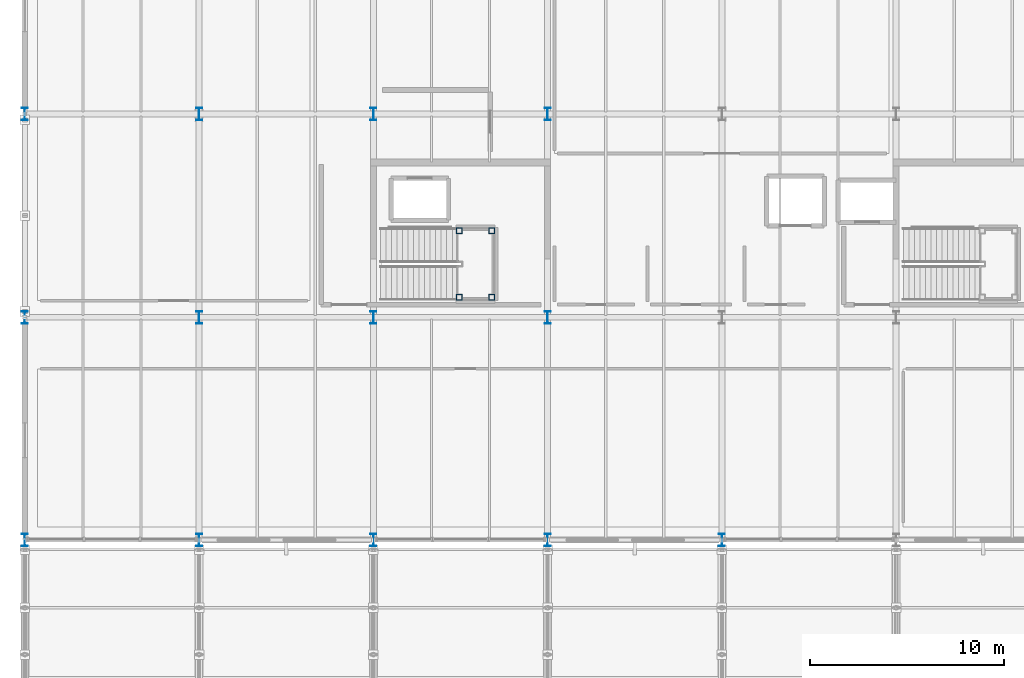
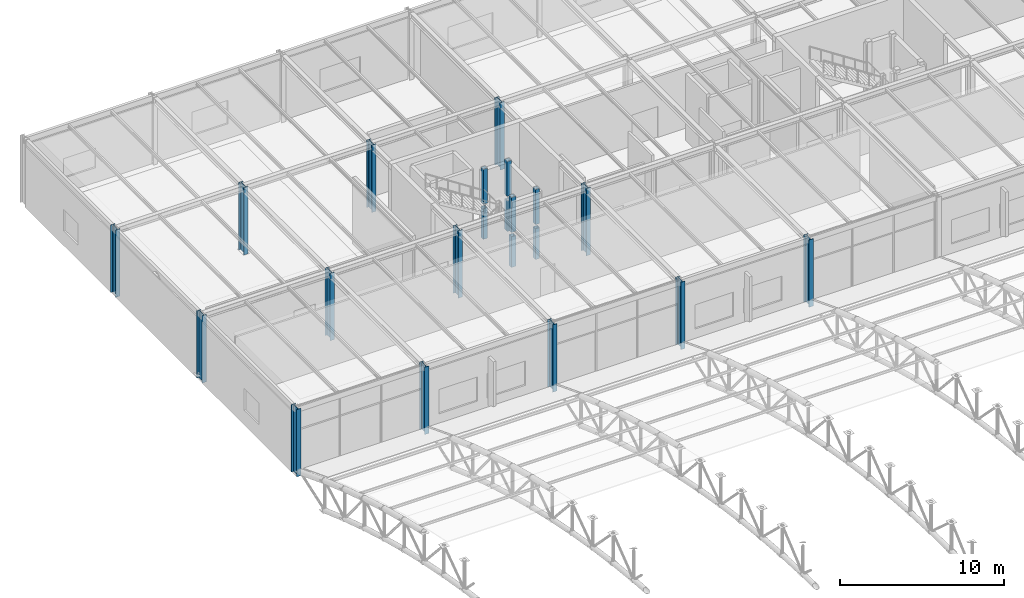
# One storey, part 3 of 195: 21 columns.
"""IFC4 building model written with IfcOpenShell, lengths in metres."""

from ifc_helpers import new_model, si_unit, direction, frame, origin, origin_2d, place, context, subcontext, project, spatial, hollow_rectangle, i_section, extrude, material, material_profile, profile_set, type_object, element, save


model = new_model("IFC4")

# Units and contexts
model_context = context("Model", 3, precision=1e-05, world=origin(), true_north=direction((0.0, 1.0)))
body_context = subcontext(model_context, "Body", "Model", "MODEL_VIEW")
ifc_project = project(units=[si_unit("LENGTHUNIT", "METRE"), si_unit("AREAUNIT", "SQUARE_METRE"), si_unit("VOLUMEUNIT", "CUBIC_METRE"), si_unit("PLANEANGLEUNIT", "RADIAN"), si_unit("MASSUNIT", "GRAM", prefix="KILO")], contexts=[model_context])

# Site, building, storey
site_placement = place(None, origin())
site = spatial("IfcSite", under=ifc_project, at=site_placement, CompositionType="ELEMENT")
building_placement = place(site_placement, origin())
building = spatial("IfcBuilding", under=site, at=building_placement, Name="Marlcrest Central Station", CompositionType="ELEMENT")
storey_placement = place(building_placement, frame((0.0, 0.0, 9.800048828125)))
storey = spatial("IfcBuildingStorey", under=building, at=storey_placement, Name="L02", CompositionType="ELEMENT", Elevation=9.800048828125)

# Columns
ifc_material = material(Name="Steel S355", Category="steel")
ifc_material_profile_1 = material_profile(ifc_material, i_section(OverallWidth=0.300048828125, OverallDepth=0.64990234375, WebThickness=0.01611328125, FlangeThickness=0.031005859375, FilletRadius=0.027099609375, at=origin_2d()), Name="HEB 650")
ifc_profile_set_1 = profile_set([ifc_material_profile_1], Name="Steel S355")
column_type_1 = type_object("IfcColumnType", Name="SC-06", PredefinedType="COLUMN", material=ifc_profile_set_1)
for number, where, z_axis, x_axis, name in (
    (1, (0.0, 99.0, 0.0), (0.0, 0.0, 1.0), (1.0, 0.0, 0.0), "col-SC-06-L02-0117"),
    (2, (0.0, 110.5, 0.0), (0.0, 0.0, 1.0), (1.0, 0.0, 0.0), "col-SC-06-L02-0118"),
    (3, (0.0, 121.0, 0.0), (0.0, 0.0, 1.0), (1.0, 0.0, 0.0), "col-SC-06-L02-0119"),
    (4, (9.0, 99.0, 0.0), (0.0, 0.0, 1.0), (1.0, 0.0, 0.0), "col-SC-06-L02-0121"),
    (5, (9.0, 110.5, 0.0), (0.0, 0.0, 1.0), (1.0, 0.0, 0.0), "col-SC-06-L02-0122"),
    (6, (9.0, 121.0, 0.0), (0.0, 0.0, 1.0), (1.0, 0.0, 0.0), "col-SC-06-L02-0123"),
    (7, (18.0, 99.0, 0.0), (0.0, 0.0, 1.0), (1.0, 0.0, 0.0), "col-SC-06-L02-0125"),
    (8, (18.0, 110.5, 0.0), (0.0, 0.0, 1.0), (1.0, 0.0, 0.0), "col-SC-06-L02-0126"),
    (9, (18.0, 121.0, 0.0), (0.0, 0.0, 1.0), (1.0, 0.0, 0.0), "col-SC-06-L02-0127"),
    (10, (27.0, 99.0, 0.0), (0.0, 0.0, 1.0), (1.0, 0.0, 0.0), "col-SC-06-L02-0129"),
    (11, (27.0, 110.5, 0.0), (0.0, 0.0, 1.0), (1.0, 0.0, 0.0), "col-SC-06-L02-0130"),
    (12, (27.0, 121.0, 0.0), (0.0, 0.0, 1.0), (1.0, 0.0, 0.0), "col-SC-06-L02-0131"),
    (13, (36.0, 99.0, 0.0), (0.0, 0.0, 1.0), (1.0, 0.0, 0.0), "col-SC-06-L02-0133"),
):
    element("IfcColumn", number, at=place(storey_placement, frame(where, z_axis=z_axis, x_axis=x_axis)), inside=storey, type_object=column_type_1, Name=name, PredefinedType="COLUMN", context=body_context, shape_type="SweptSolid", body=[
        extrude(i_section(OverallWidth=0.300048828125, OverallDepth=0.64990234375, WebThickness=0.01611328125, FlangeThickness=0.031005859375, FilletRadius=0.027099609375, at=origin_2d()), origin(), (0.0, 0.0, 1.0), 5.0),
    ])
ifc_material_profile_2 = material_profile(ifc_material, hollow_rectangle(XDim=0.300048828125, YDim=0.300048828125, WallThickness=0.01611328125, at=origin_2d()), Name="SHS 300x300x16")
ifc_profile_set_2 = profile_set([ifc_material_profile_2], Name="Steel S355")
column_type_2 = type_object("IfcColumnType", Name="SC-19", PredefinedType="COLUMN", material=ifc_profile_set_2)
column_1_placement = place(storey_placement, frame((22.43994140625, 111.530029296875, 0.0), z_axis=(0.0, 0.0, 1.0), x_axis=(1.0, 0.0, 0.0)))
element("IfcColumn", 14, at=column_1_placement, inside=storey, type_object=column_type_2, Name="htcol-lo-0048-0", PredefinedType="COLUMN", context=body_context, shape_type="SweptSolid", body=[
    extrude(hollow_rectangle(XDim=0.300048828125, YDim=0.300048828125, WallThickness=0.01611328125, at=origin_2d()), origin(), (0.0, 0.0, 1.0), 2.280029296875),
])
column_2_placement = place(storey_placement, frame((22.43994140625, 111.530029296875, 2.599853515625), z_axis=(0.0, 0.0, 1.0), x_axis=(1.0, 0.0, 0.0)))
element("IfcColumn", 15, at=column_2_placement, inside=storey, type_object=column_type_2, Name="htcol-hi-0048-0", PredefinedType="COLUMN", context=body_context, shape_type="SweptSolid", body=[
    extrude(hollow_rectangle(XDim=0.300048828125, YDim=0.300048828125, WallThickness=0.01611328125, at=origin_2d()), origin(), (0.0, 0.0, 1.0), 2.60009765625),
])
column_3_placement = place(storey_placement, frame((24.1201171875, 111.530029296875, 0.0), z_axis=(0.0, 0.0, 1.0), x_axis=(1.0, 0.0, 0.0)))
element("IfcColumn", 16, at=column_3_placement, inside=storey, type_object=column_type_2, Name="htcol-lo-0048-1", PredefinedType="COLUMN", context=body_context, shape_type="SweptSolid", body=[
    extrude(hollow_rectangle(XDim=0.300048828125, YDim=0.300048828125, WallThickness=0.01611328125, at=origin_2d()), origin(), (0.0, 0.0, 1.0), 2.280029296875),
])
column_4_placement = place(storey_placement, frame((24.1201171875, 111.530029296875, 2.599853515625), z_axis=(0.0, 0.0, 1.0), x_axis=(1.0, 0.0, 0.0)))
element("IfcColumn", 17, at=column_4_placement, inside=storey, type_object=column_type_2, Name="htcol-hi-0048-1", PredefinedType="COLUMN", context=body_context, shape_type="SweptSolid", body=[
    extrude(hollow_rectangle(XDim=0.300048828125, YDim=0.300048828125, WallThickness=0.01611328125, at=origin_2d()), origin(), (0.0, 0.0, 1.0), 2.60009765625),
])
column_5_placement = place(storey_placement, frame((24.1201171875, 114.969970703125, 0.0), z_axis=(0.0, 0.0, 1.0), x_axis=(1.0, 0.0, 0.0)))
element("IfcColumn", 18, at=column_5_placement, inside=storey, type_object=column_type_2, Name="htcol-lo-0048-2", PredefinedType="COLUMN", context=body_context, shape_type="SweptSolid", body=[
    extrude(hollow_rectangle(XDim=0.300048828125, YDim=0.300048828125, WallThickness=0.01611328125, at=origin_2d()), origin(), (0.0, 0.0, 1.0), 2.280029296875),
])
column_6_placement = place(storey_placement, frame((24.1201171875, 114.969970703125, 2.599853515625), z_axis=(0.0, 0.0, 1.0), x_axis=(1.0, 0.0, 0.0)))
element("IfcColumn", 19, at=column_6_placement, inside=storey, type_object=column_type_2, Name="htcol-hi-0048-2", PredefinedType="COLUMN", context=body_context, shape_type="SweptSolid", body=[
    extrude(hollow_rectangle(XDim=0.300048828125, YDim=0.300048828125, WallThickness=0.01611328125, at=origin_2d()), origin(), (0.0, 0.0, 1.0), 2.60009765625),
])
column_7_placement = place(storey_placement, frame((22.43994140625, 114.969970703125, 0.0), z_axis=(0.0, 0.0, 1.0), x_axis=(1.0, 0.0, 0.0)))
element("IfcColumn", 20, at=column_7_placement, inside=storey, type_object=column_type_2, Name="htcol-lo-0048-3", PredefinedType="COLUMN", context=body_context, shape_type="SweptSolid", body=[
    extrude(hollow_rectangle(XDim=0.300048828125, YDim=0.300048828125, WallThickness=0.01611328125, at=origin_2d()), origin(), (0.0, 0.0, 1.0), 2.280029296875),
])
column_8_placement = place(storey_placement, frame((22.43994140625, 114.969970703125, 2.599853515625), z_axis=(0.0, 0.0, 1.0), x_axis=(1.0, 0.0, 0.0)))
element("IfcColumn", 21, at=column_8_placement, inside=storey, type_object=column_type_2, Name="htcol-hi-0048-3", PredefinedType="COLUMN", context=body_context, shape_type="SweptSolid", body=[
    extrude(hollow_rectangle(XDim=0.300048828125, YDim=0.300048828125, WallThickness=0.01611328125, at=origin_2d()), origin(), (0.0, 0.0, 1.0), 2.60009765625),
])

save(model, "model.ifc")
